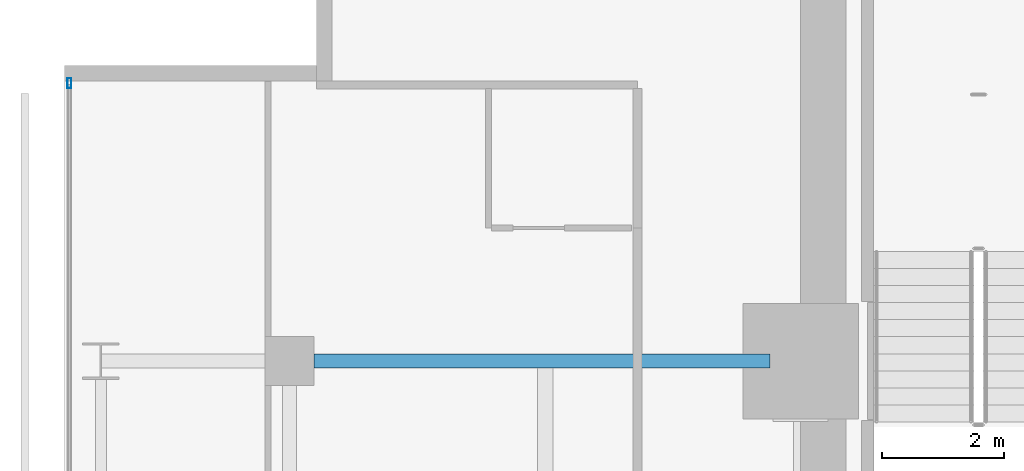
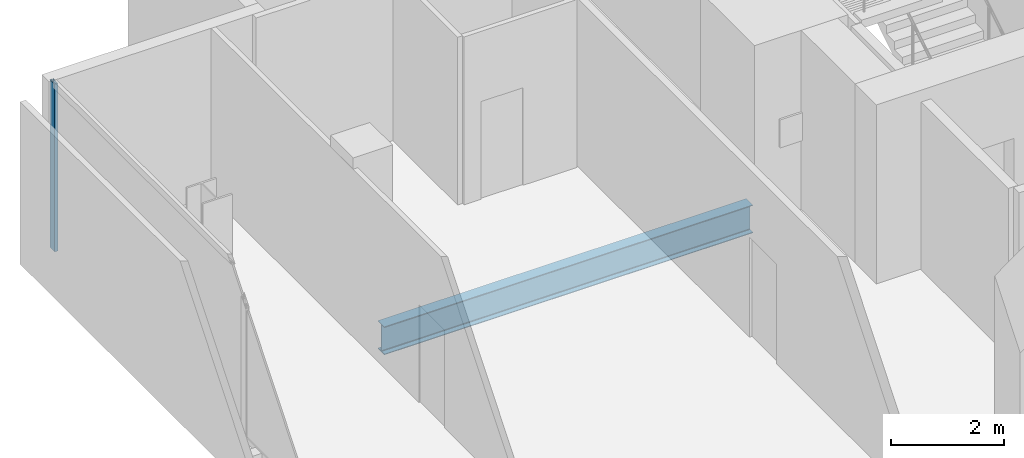
# One storey, part 20 of 32: 1 beam, 1 member, 1 element without a shape of its own.
"""IFC4 building model written with IfcOpenShell, lengths in metres."""

from ifc_helpers import new_model, si_unit, direction, frame, origin, origin_2d, place, context, subcontext, project, spatial, hollow_rectangle, i_section, extrude, material, layer, layer_set, material_profile, profile_set, type_object, element, aggregate, save


model = new_model("IFC4")

# Units and contexts
model_context = context("Model", 3, precision=1e-05, world=origin(), true_north=direction((0.0, 1.0)))
body_context = subcontext(model_context, "Body", "Model", "MODEL_VIEW")
ifc_project = project(units=[si_unit("LENGTHUNIT", "METRE"), si_unit("AREAUNIT", "SQUARE_METRE"), si_unit("VOLUMEUNIT", "CUBIC_METRE"), si_unit("PLANEANGLEUNIT", "RADIAN"), si_unit("MASSUNIT", "GRAM", prefix="KILO")], contexts=[model_context])

# Site, building, storey
site_placement = place(None, origin())
site = spatial("IfcSite", under=ifc_project, at=site_placement, CompositionType="ELEMENT")
building_placement = place(site_placement, origin())
building = spatial("IfcBuilding", under=site, at=building_placement, Name="Maruvema Waterfront Hotel and Observation Tower", CompositionType="ELEMENT")
storey_placement = place(building_placement, frame((0.0, 0.0, 162.050048828125)))
storey = spatial("IfcBuildingStorey", under=building, at=storey_placement, Name="L39", CompositionType="ELEMENT", Elevation=162.050048828125)

# Curtain wall, member
ifc_material_1 = material(Name="Anodised bronze aluminium and solar-control low-E IGU", Category="aluminium")
ifc_layer = layer(ifc_material_1, 0.159912109375, Name="Zone 2 Amber Inner Thermal Curtain Wall System CW-03")
ifc_layer_set = layer_set([ifc_layer], Name="Anodised bronze aluminium and solar-control low-E IGU")
curtain_wall_type = type_object("IfcCurtainWallType", Name="Zone 2 Amber Inner Thermal Curtain Wall System CW-03", PredefinedType="USERDEFINED", material=ifc_layer_set)
curtain_wall_placement = place(storey_placement, origin())
curtain_wall = element("IfcCurtainWall", 1, at=curtain_wall_placement, inside=storey, type_object=curtain_wall_type, Name="L39 Curtain Wall CW-L39-W", ObjectType="UNITISED CURTAIN WALL", PredefinedType="USERDEFINED")
ifc_material_2 = material(Name="Anodised architectural bronze aluminium", Category="aluminium")
ifc_material_profile_1 = material_profile(ifc_material_2, hollow_rectangle(XDim=0.06494140625, YDim=0.1650390625, WallThickness=0.00390625, at=origin_2d()), Name="ALU-M65x165")
ifc_profile_set_1 = profile_set([ifc_material_profile_1], Name="Anodised architectural bronze aluminium")
member_type = type_object("IfcMemberType", Name="Curtain Wall Primary Mullion ALU-M65x165", PredefinedType="MULLION", material=ifc_profile_set_1)
member_placement = place(storey_placement, frame((13.179931640625, 49.570068359375, 0.0), z_axis=(0.0, 0.0, 1.0), x_axis=(1.0, 0.0, 0.0)))
member = element("IfcMember", 2, at=member_placement, type_object=member_type, Name="CW-03 mullion 1", PredefinedType="MULLION", context=body_context, shape_type="SweptSolid", body=[
    extrude(hollow_rectangle(XDim=0.06494140625, YDim=0.1650390625, WallThickness=0.00390625, at=origin_2d()), origin(), (0.0, 0.0, 1.0), 3.60986328125),
])
aggregate(curtain_wall, [member])

# Beam
ifc_material_3 = material(Name="Steel ASTM A572 Grade 50", Category="steel")
ifc_material_profile_2 = material_profile(ifc_material_3, i_section(OverallWidth=0.22802734375, OverallDepth=0.60302734375, WebThickness=0.010498046875, FlangeThickness=0.014892578125, FilletRadius=0.01806640625, at=origin_2d()), Name="W610x101.0")
ifc_profile_set_2 = profile_set([ifc_material_profile_2], Name="Steel ASTM A572 Grade 50")
beam_type = type_object("IfcBeamType", Name="Primary Floor Girder W610x101.0", PredefinedType="BEAM", material=ifc_profile_set_2)
beam_placement = place(storey_placement, frame((17.199951171875, 45.0, -0.54150390625), z_axis=(1.0, 0.0, 0.0), x_axis=(0.0, 1.0, 0.0)))
element("IfcBeam", 3, at=beam_placement, inside=storey, type_object=beam_type, Name="L39 Floor Girder EW-31", PredefinedType="BEAM", context=body_context, shape_type="SweptSolid", body=[
    extrude(i_section(OverallWidth=0.22802734375, OverallDepth=0.60302734375, WebThickness=0.010498046875, FlangeThickness=0.014892578125, FilletRadius=0.01806640625, at=origin_2d()), origin(), (0.0, 0.0, 1.0), 7.5),
])

save(model, "model.ifc")
